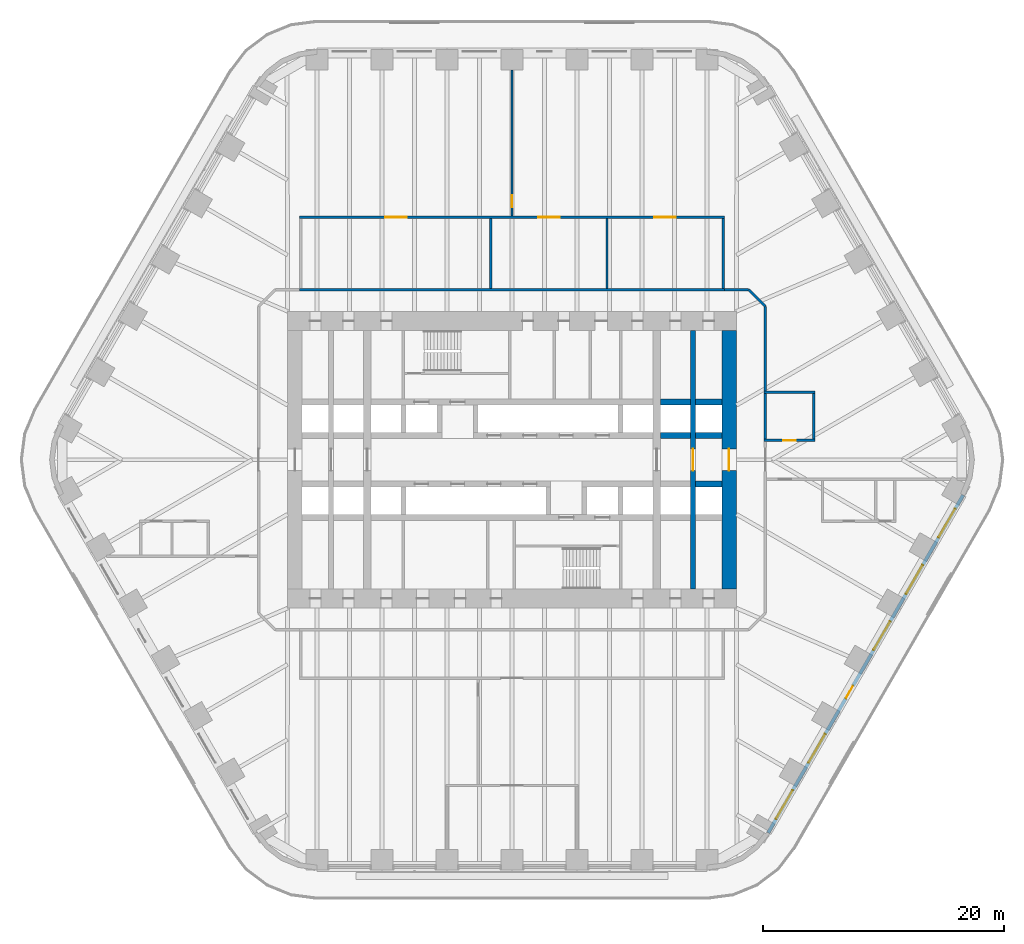
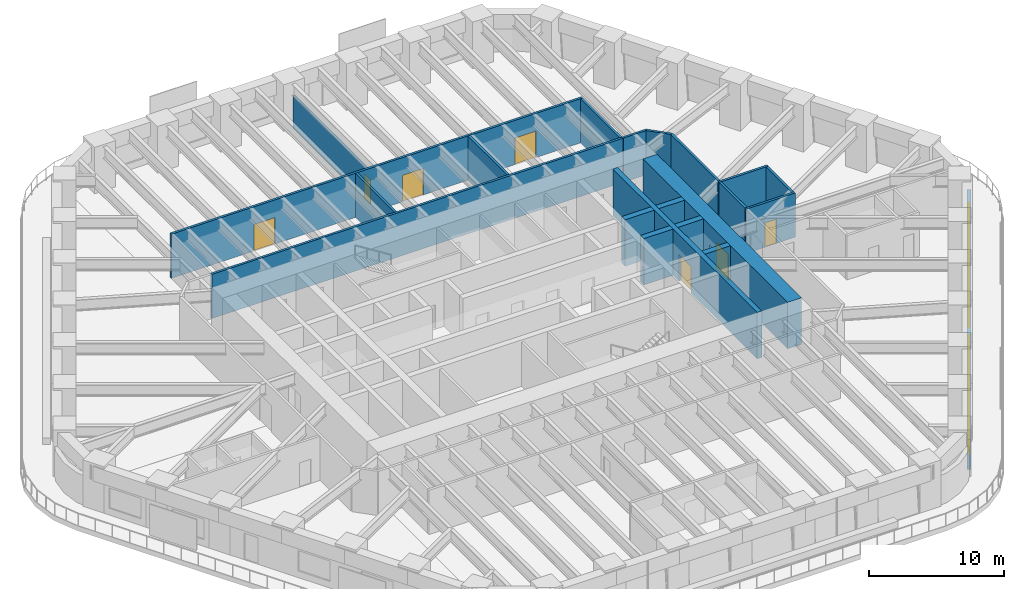
# One storey, part 19 of 23: 21 walls, 8 doors, 5 windows, 13 openings.
"""IFC4 building model written with IfcOpenShell, lengths in metres."""

from ifc_helpers import new_model, si_unit, direction, frame, frame_2d, origin, place, context, subcontext, project, spatial, rectangle, extrude, material, layer, layer_set, type_object, element, fill, save


model = new_model("IFC4")

# Units and contexts
model_context = context("Model", 3, precision=1e-05, world=origin(), true_north=direction((0.0, 1.0)))
body_context = subcontext(model_context, "Body", "Model", "MODEL_VIEW")
ifc_project = project(units=[si_unit("LENGTHUNIT", "METRE"), si_unit("AREAUNIT", "SQUARE_METRE"), si_unit("VOLUMEUNIT", "CUBIC_METRE"), si_unit("PLANEANGLEUNIT", "RADIAN"), si_unit("MASSUNIT", "GRAM", prefix="KILO")], contexts=[model_context])

# Site, building, storey
site_placement = place(None, origin())
site = spatial("IfcSite", under=ifc_project, at=site_placement, CompositionType="ELEMENT")
building_placement = place(site_placement, origin())
building = spatial("IfcBuilding", under=site, at=building_placement, Name="Tarfa Lantern Tower", CompositionType="ELEMENT")
storey_placement = place(building_placement, frame((0.0, 0.0, 99.10009765625)))
storey = spatial("IfcBuildingStorey", under=building, at=storey_placement, Name="L22", CompositionType="ELEMENT", Elevation=99.10009765625)

# Wall, openings, door, windows
ifc_material_1 = material(Name="Limestone cladding on blockwork", Category="masonry")
ifc_layer_1 = layer(ifc_material_1, 0.300048828125)
ifc_layer_set_1 = layer_set([ifc_layer_1], Name="EW1 STONE-CLAD WALL 300")
wall_type_1 = type_object("IfcWallType", Name="EW1 STONE-CLAD WALL 300", PredefinedType="SOLIDWALL", material=ifc_layer_set_1)
wall_1_placement = place(storey_placement, frame((21.232177734375, -30.925048828125, 0.0), z_axis=(0.0, 0.0, 1.0), x_axis=(0.499999163675, 0.866025886636, 0.0)))
wall_1 = element("IfcWall", 1, at=wall_1_placement, inside=storey, type_object=wall_type_1, Name="Stone wall SE", PredefinedType="SOLIDWALL", context=body_context, shape_type="SweptSolid", body=[
    extrude(rectangle(XDim=32.33154296875, YDim=0.300048828125, at=frame_2d((16.165771484375, 0.0))), origin(), (0.0, 0.0, 1.0), 2.699951171875),
])
opening_1_placement = place(wall_1_placement, frame((1.3193359375, 0.0, 0.60009765625)))
opening_1 = element("IfcOpeningElement", 2, at=opening_1_placement, cuts=wall_1, Name="Opening W2", PredefinedType="OPENING", context=body_context, shape_type="SweptSolid", body=[
    extrude(rectangle(XDim=2.75, YDim=1.85009765625, at=frame_2d((1.375, 0.925048828125))), frame((0.0, 0.159912109375, 0.0), z_axis=(0.0, -1.0, 0.0), x_axis=(1.0, 0.0, 0.0)), (0.0, 0.0, 1.0), 0.320068359375),
])
opening_2_placement = place(wall_1_placement, frame((6.7080078125, 0.0, 0.60009765625)))
opening_2 = element("IfcOpeningElement", 3, at=opening_2_placement, cuts=wall_1, Name="Opening W2", PredefinedType="OPENING", context=body_context, shape_type="SweptSolid", body=[
    extrude(rectangle(XDim=2.75, YDim=1.85009765625, at=frame_2d((1.375, 0.925048828125))), frame((0.0, 0.159912109375, 0.0), z_axis=(0.0, -1.0, 0.0), x_axis=(1.0, 0.0, 0.0)), (0.0, 0.0, 1.0), 0.320068359375),
])
opening_3_placement = place(wall_1_placement, frame((12.87158203125, 0.0, 0.0)))
opening_3 = element("IfcOpeningElement", 4, at=opening_3_placement, cuts=wall_1, Name="Opening D46", PredefinedType="OPENING", context=body_context, shape_type="SweptSolid", body=[
    extrude(rectangle(XDim=1.199951171875, YDim=2.39990234375, at=frame_2d((0.60009765625, 1.199951171875))), frame((0.0, 0.159912109375, 0.0), z_axis=(0.0, -1.0, 0.0), x_axis=(1.0, 0.0, 0.0)), (0.0, 0.0, 1.0), 0.320068359375),
])
opening_4_placement = place(wall_1_placement, frame((17.485107421875, 0.0, 0.60009765625)))
opening_4 = element("IfcOpeningElement", 5, at=opening_4_placement, cuts=wall_1, Name="Opening W2", PredefinedType="OPENING", context=body_context, shape_type="SweptSolid", body=[
    extrude(rectangle(XDim=2.75, YDim=1.85009765625, at=frame_2d((1.375, 0.925048828125))), frame((0.0, 0.159912109375, 0.0), z_axis=(0.0, -1.0, 0.0), x_axis=(1.0, 0.0, 0.0)), (0.0, 0.0, 1.0), 0.320068359375),
])
opening_5_placement = place(wall_1_placement, frame((22.873779296875, 0.0, 0.60009765625)))
opening_5 = element("IfcOpeningElement", 6, at=opening_5_placement, cuts=wall_1, Name="Opening W2", PredefinedType="OPENING", context=body_context, shape_type="SweptSolid", body=[
    extrude(rectangle(XDim=2.75, YDim=1.85009765625, at=frame_2d((1.375, 0.925048828125))), frame((0.0, 0.159912109375, 0.0), z_axis=(0.0, -1.0, 0.0), x_axis=(1.0, 0.0, 0.0)), (0.0, 0.0, 1.0), 0.320068359375),
])
opening_6_placement = place(wall_1_placement, frame((28.26220703125, 0.0, 0.60009765625)))
opening_6 = element("IfcOpeningElement", 7, at=opening_6_placement, cuts=wall_1, Name="Opening W2", PredefinedType="OPENING", context=body_context, shape_type="SweptSolid", body=[
    extrude(rectangle(XDim=2.75, YDim=1.85009765625, at=frame_2d((1.375, 0.925048828125))), frame((0.0, 0.159912109375, 0.0), z_axis=(0.0, -1.0, 0.0), x_axis=(1.0, 0.0, 0.0)), (0.0, 0.0, 1.0), 0.320068359375),
])
ifc_material_2 = material(Name="Aluminium framed glazed door", Category="aluminium")
door_type_1 = type_object("IfcDoorType", Name="BE3 BALCONY DOOR 1200x2400", OperationType="SINGLE_SWING_RIGHT", PredefinedType="DOOR", material=ifc_material_2)
door_1_placement = place(opening_3_placement, origin())
door_1 = element("IfcDoor", 8, at=door_1_placement, inside=storey, type_object=door_type_1, Name="Balcony door SE", OperationType="SINGLE_SWING_RIGHT", OverallHeight=2.39990234375, OverallWidth=1.199951171875, PredefinedType="DOOR", context=body_context, shape_type="SweptSolid", body=[
    extrude(rectangle(XDim=1.199951171875, YDim=2.39990234375, at=frame_2d((0.60009765625, 1.199951171875))), frame((0.0, 0.02490234375, 0.0), z_axis=(0.0, -1.0, 0.0), x_axis=(1.0, 0.0, 0.0)), (0.0, 0.0, 1.0), 0.050048828125),
])
fill(opening_3, door_1)
ifc_material_3 = material(Name="Aluminium frame, double glazed", Category="aluminium")
window_type = type_object("IfcWindowType", Name="W2 FULL-HEIGHT GLAZING 2750x1850", PartitioningType="SINGLE_PANEL", PredefinedType="WINDOW", material=ifc_material_3)
window_1_placement = place(opening_1_placement, origin())
window_1 = element("IfcWindow", 9, at=window_1_placement, inside=storey, type_object=window_type, Name="Window SE 1", OverallHeight=1.85009765625, OverallWidth=2.75, PartitioningType="SINGLE_PANEL", PredefinedType="WINDOW", context=body_context, shape_type="SweptSolid", body=[
    extrude(rectangle(XDim=2.75, YDim=1.85009765625, at=frame_2d((1.375, 0.925048828125))), frame((0.0, 0.030029296875, 0.0), z_axis=(0.0, -1.0, 0.0), x_axis=(1.0, 0.0, 0.0)), (0.0, 0.0, 1.0), 0.06005859375),
])
fill(opening_1, window_1)
window_2_placement = place(opening_2_placement, origin())
window_2 = element("IfcWindow", 10, at=window_2_placement, inside=storey, type_object=window_type, Name="Window SE 2", OverallHeight=1.85009765625, OverallWidth=2.75, PartitioningType="SINGLE_PANEL", PredefinedType="WINDOW", context=body_context, shape_type="SweptSolid", body=[
    extrude(rectangle(XDim=2.75, YDim=1.85009765625, at=frame_2d((1.375, 0.925048828125))), frame((0.0, 0.030029296875, 0.0), z_axis=(0.0, -1.0, 0.0), x_axis=(1.0, 0.0, 0.0)), (0.0, 0.0, 1.0), 0.06005859375),
])
fill(opening_2, window_2)
window_3_placement = place(opening_4_placement, origin())
window_3 = element("IfcWindow", 11, at=window_3_placement, inside=storey, type_object=window_type, Name="Window SE 4", OverallHeight=1.85009765625, OverallWidth=2.75, PartitioningType="SINGLE_PANEL", PredefinedType="WINDOW", context=body_context, shape_type="SweptSolid", body=[
    extrude(rectangle(XDim=2.75, YDim=1.85009765625, at=frame_2d((1.375, 0.925048828125))), frame((0.0, 0.030029296875, 0.0), z_axis=(0.0, -1.0, 0.0), x_axis=(1.0, 0.0, 0.0)), (0.0, 0.0, 1.0), 0.06005859375),
])
fill(opening_4, window_3)
window_4_placement = place(opening_5_placement, origin())
window_4 = element("IfcWindow", 12, at=window_4_placement, inside=storey, type_object=window_type, Name="Window SE 5", OverallHeight=1.85009765625, OverallWidth=2.75, PartitioningType="SINGLE_PANEL", PredefinedType="WINDOW", context=body_context, shape_type="SweptSolid", body=[
    extrude(rectangle(XDim=2.75, YDim=1.85009765625, at=frame_2d((1.375, 0.925048828125))), frame((0.0, 0.030029296875, 0.0), z_axis=(0.0, -1.0, 0.0), x_axis=(1.0, 0.0, 0.0)), (0.0, 0.0, 1.0), 0.06005859375),
])
fill(opening_5, window_4)
window_5_placement = place(opening_6_placement, origin())
window_5 = element("IfcWindow", 13, at=window_5_placement, inside=storey, type_object=window_type, Name="Window SE 6", OverallHeight=1.85009765625, OverallWidth=2.75, PartitioningType="SINGLE_PANEL", PredefinedType="WINDOW", context=body_context, shape_type="SweptSolid", body=[
    extrude(rectangle(XDim=2.75, YDim=1.85009765625, at=frame_2d((1.375, 0.925048828125))), frame((0.0, 0.030029296875, 0.0), z_axis=(0.0, -1.0, 0.0), x_axis=(1.0, 0.0, 0.0)), (0.0, 0.0, 1.0), 0.06005859375),
])
fill(opening_6, window_5)

# Wall
ifc_material_4 = material(Name="Gypsum board on steel studs", Category="steel")
ifc_layer_2 = layer(ifc_material_4, 0.2099609375)
ifc_layer_set_2 = layer_set([ifc_layer_2], Name="IW2 ACOUSTIC PARTITION 200")
wall_type_2 = type_object("IfcWallType", Name="IW2 ACOUSTIC PARTITION 200", PredefinedType="PARTITIONING", material=ifc_layer_set_2)
wall_2_placement = place(storey_placement, frame((-17.60009765625, 14.10009765625, 0.0), z_axis=(0.0, 0.0, 1.0), x_axis=(1.0, 0.0, 0.0)))
element("IfcWall", 14, at=wall_2_placement, inside=storey, type_object=wall_type_2, Name="Partition", PredefinedType="PARTITIONING", context=body_context, shape_type="SweptSolid", body=[
    extrude(rectangle(XDim=35.2001953125, YDim=0.199951171875, at=frame_2d((17.60009765625, 0.0))), origin(), (0.0, 0.0, 1.0), 4.0),
])

# Wall, openings, doors
wall_3_placement = place(storey_placement, frame((-17.60009765625, 20.10009765625, 0.0), z_axis=(0.0, 0.0, 1.0), x_axis=(1.0, 0.0, 0.0)))
wall_3 = element("IfcWall", 15, at=wall_3_placement, inside=storey, type_object=wall_type_2, Name="Partition", PredefinedType="PARTITIONING", context=body_context, shape_type="SweptSolid", body=[
    extrude(rectangle(XDim=35.2001953125, YDim=0.199951171875, at=frame_2d((17.60009765625, 0.0))), origin(), (0.0, 0.0, 1.0), 4.0),
])
opening_7_placement = place(wall_3_placement, frame((7.074951171875, 0.0, 0.0)))
opening_7 = element("IfcOpeningElement", 16, at=opening_7_placement, cuts=wall_3, Name="Opening D31", PredefinedType="OPENING", context=body_context, shape_type="SweptSolid", body=[
    extrude(rectangle(XDim=1.800048828125, YDim=2.39990234375, at=frame_2d((0.89990234375, 1.199951171875))), frame((0.0, 0.10986328125, 0.0), z_axis=(0.0, -1.0, 0.0), x_axis=(1.0, 0.0, 0.0)), (0.0, 0.0, 1.0), 0.219970703125),
])
opening_8_placement = place(wall_3_placement, frame((19.762451171875, 0.0, 0.0)))
opening_8 = element("IfcOpeningElement", 17, at=opening_8_placement, cuts=wall_3, Name="Opening D32", PredefinedType="OPENING", context=body_context, shape_type="SweptSolid", body=[
    extrude(rectangle(XDim=1.800048828125, YDim=2.39990234375, at=frame_2d((0.89990234375, 1.199951171875))), frame((0.0, 0.10986328125, 0.0), z_axis=(0.0, -1.0, 0.0), x_axis=(1.0, 0.0, 0.0)), (0.0, 0.0, 1.0), 0.219970703125),
])
opening_9_placement = place(wall_3_placement, frame((29.387451171875, 0.0, 0.0)))
opening_9 = element("IfcOpeningElement", 18, at=opening_9_placement, cuts=wall_3, Name="Opening D33", PredefinedType="OPENING", context=body_context, shape_type="SweptSolid", body=[
    extrude(rectangle(XDim=1.800048828125, YDim=2.39990234375, at=frame_2d((0.89990234375, 1.199951171875))), frame((0.0, 0.10986328125, 0.0), z_axis=(0.0, -1.0, 0.0), x_axis=(1.0, 0.0, 0.0)), (0.0, 0.0, 1.0), 0.219970703125),
])
ifc_material_5 = material(Name="Timber door", Category="wood")
door_type_2 = type_object("IfcDoorType", Name="DR2 ROOM DOOR 1800x2400", OperationType="DOUBLE_DOOR_SINGLE_SWING", PredefinedType="DOOR", material=ifc_material_5)
door_2_placement = place(opening_7_placement, frame((1.800048828125, 0.0, 0.0), z_axis=(0.0, 0.0, 1.0), x_axis=(-1.0, 0.0, 0.0)))
door_2 = element("IfcDoor", 19, at=door_2_placement, inside=storey, type_object=door_type_2, Name="Recording studio door", OperationType="DOUBLE_DOOR_SINGLE_SWING", OverallHeight=2.39990234375, OverallWidth=1.800048828125, PredefinedType="DOOR", context=body_context, shape_type="SweptSolid", body=[
    extrude(rectangle(XDim=1.800048828125, YDim=2.39990234375, at=frame_2d((0.89990234375, 1.199951171875))), frame((0.0, 0.02490234375, 0.0), z_axis=(0.0, -1.0, 0.0), x_axis=(1.0, 0.0, 0.0)), (0.0, 0.0, 1.0), 0.050048828125),
])
fill(opening_7, door_2)
door_3_placement = place(opening_8_placement, frame((1.800048828125, 0.0, 0.0), z_axis=(0.0, 0.0, 1.0), x_axis=(-1.0, 0.0, 0.0)))
door_3 = element("IfcDoor", 20, at=door_3_placement, inside=storey, type_object=door_type_2, Name="Edit suite door", OperationType="DOUBLE_DOOR_SINGLE_SWING", OverallHeight=2.39990234375, OverallWidth=1.800048828125, PredefinedType="DOOR", context=body_context, shape_type="SweptSolid", body=[
    extrude(rectangle(XDim=1.800048828125, YDim=2.39990234375, at=frame_2d((0.89990234375, 1.199951171875))), frame((0.0, 0.02490234375, 0.0), z_axis=(0.0, -1.0, 0.0), x_axis=(1.0, 0.0, 0.0)), (0.0, 0.0, 1.0), 0.050048828125),
])
fill(opening_8, door_3)
door_4_placement = place(opening_9_placement, frame((1.800048828125, 0.0, 0.0), z_axis=(0.0, 0.0, 1.0), x_axis=(-1.0, 0.0, 0.0)))
door_4 = element("IfcDoor", 21, at=door_4_placement, inside=storey, type_object=door_type_2, Name="Edit suite door", OperationType="DOUBLE_DOOR_SINGLE_SWING", OverallHeight=2.39990234375, OverallWidth=1.800048828125, PredefinedType="DOOR", context=body_context, shape_type="SweptSolid", body=[
    extrude(rectangle(XDim=1.800048828125, YDim=2.39990234375, at=frame_2d((0.89990234375, 1.199951171875))), frame((0.0, 0.02490234375, 0.0), z_axis=(0.0, -1.0, 0.0), x_axis=(1.0, 0.0, 0.0)), (0.0, 0.0, 1.0), 0.050048828125),
])
fill(opening_9, door_4)

# Walls
for number, where, z_axis, x_axis, name in (
    (22, (-1.75, 14.199951171875, 0.0), (0.0, 0.0, 1.0), (0.0, 1.0, 0.0), "Partition"),
    (23, (7.875, 14.199951171875, 0.0), (0.0, 0.0, 1.0), (0.0, 1.0, 0.0), "Partition"),
    (24, (17.5, 14.199951171875, 0.0), (0.0, 0.0, 1.0), (0.0, 1.0, 0.0), "Partition"),
):
    element("IfcWall", number, at=place(storey_placement, frame(where, z_axis=z_axis, x_axis=x_axis)), inside=storey, type_object=wall_type_2, Name=name, PredefinedType="PARTITIONING", context=body_context, shape_type="SweptSolid", body=[
        extrude(rectangle(XDim=5.800048828125, YDim=0.199951171875, at=frame_2d((2.89990234375, 0.0))), origin(), (0.0, 0.0, 1.0), 4.0),
    ])

# Wall, opening, door
wall_4_placement = place(storey_placement, frame((20.89990234375, 1.60009765625, 0.0), z_axis=(0.0, 0.0, 1.0), x_axis=(1.0, 0.0, 0.0)))
wall_4 = element("IfcWall", 25, at=wall_4_placement, inside=storey, type_object=wall_type_2, Name="Partition", PredefinedType="PARTITIONING", context=body_context, shape_type="SweptSolid", body=[
    extrude(rectangle(XDim=4.2001953125, YDim=0.199951171875, at=frame_2d((2.10009765625, 0.0))), origin(), (0.0, 0.0, 1.0), 4.0),
])
opening_10_placement = place(wall_4_placement, frame((1.60009765625, 0.0, 0.0)))
opening_10 = element("IfcOpeningElement", 26, at=opening_10_placement, cuts=wall_4, Name="Opening D29", PredefinedType="OPENING", context=body_context, shape_type="SweptSolid", body=[
    extrude(rectangle(XDim=1.0, YDim=2.199951171875, at=frame_2d((0.5, 1.10009765625))), frame((0.0, 0.10986328125, 0.0), z_axis=(0.0, -1.0, 0.0), x_axis=(1.0, 0.0, 0.0)), (0.0, 0.0, 1.0), 0.219970703125),
])
door_type_3 = type_object("IfcDoorType", Name="DR1 ROOM DOOR 1000x2200", OperationType="SINGLE_SWING_LEFT", PredefinedType="DOOR", material=ifc_material_5)
door_5_placement = place(opening_10_placement, origin())
door_5 = element("IfcDoor", 27, at=door_5_placement, inside=storey, type_object=door_type_3, Name="Photo store door", OperationType="SINGLE_SWING_RIGHT", OverallHeight=2.199951171875, OverallWidth=1.0, PredefinedType="DOOR", context=body_context, shape_type="SweptSolid", body=[
    extrude(rectangle(XDim=1.0, YDim=2.199951171875, at=frame_2d((0.5, 1.10009765625))), frame((0.0, 0.02490234375, 0.0), z_axis=(0.0, -1.0, 0.0), x_axis=(1.0, 0.0, 0.0)), (0.0, 0.0, 1.0), 0.050048828125),
])
fill(opening_10, door_5)

# Walls
wall_5_placement = place(storey_placement, frame((20.89990234375, 5.60009765625, 0.0), z_axis=(0.0, 0.0, 1.0), x_axis=(1.0, 0.0, 0.0)))
element("IfcWall", 28, at=wall_5_placement, inside=storey, type_object=wall_type_2, Name="Partition", PredefinedType="PARTITIONING", context=body_context, shape_type="SweptSolid", body=[
    extrude(rectangle(XDim=4.2001953125, YDim=0.199951171875, at=frame_2d((2.10009765625, 0.0))), origin(), (0.0, 0.0, 1.0), 4.0),
])
for number, where, z_axis, x_axis, name in (
    (29, (21.0, 1.699951171875, 0.0), (0.0, 0.0, 1.0), (0.0, 1.0, 0.0), "Partition"),
    (30, (25.0, 1.699951171875, 0.0), (0.0, 0.0, 1.0), (0.0, 1.0, 0.0), "Partition"),
):
    element("IfcWall", number, at=place(storey_placement, frame(where, z_axis=z_axis, x_axis=x_axis)), inside=storey, type_object=wall_type_2, Name=name, PredefinedType="PARTITIONING", context=body_context, shape_type="SweptSolid", body=[
        extrude(rectangle(XDim=3.800048828125, YDim=0.199951171875, at=frame_2d((1.89990234375, 0.0))), origin(), (0.0, 0.0, 1.0), 4.0),
    ])
wall_6_placement = place(storey_placement, frame((17.60009765625, 14.10009765625, 0.0), z_axis=(0.0, 0.0, 1.0), x_axis=(1.0, 0.0, 0.0)))
element("IfcWall", 31, at=wall_6_placement, inside=storey, type_object=wall_type_2, Name="Partition", PredefinedType="PARTITIONING", context=body_context, shape_type="SweptSolid", body=[
    extrude(rectangle(XDim=2.0, YDim=0.199951171875, at=frame_2d((1.0, 0.0))), origin(), (0.0, 0.0, 1.0), 4.0),
])
wall_7_placement = place(storey_placement, frame((19.60009765625, 14.10009765625, 0.0), z_axis=(0.0, 0.0, 1.0), x_axis=(0.707045124756, -0.707168432242, 0.0)))
element("IfcWall", 32, at=wall_7_placement, inside=storey, type_object=wall_type_2, Name="Partition", PredefinedType="PARTITIONING", context=body_context, shape_type="SweptSolid", body=[
    extrude(rectangle(XDim=1.97998046875, YDim=0.199951171875, at=frame_2d((0.989990234375, 0.0))), origin(), (0.0, 0.0, 1.0), 4.0),
])
wall_8_placement = place(storey_placement, frame((21.0, 12.699951171875, 0.0), z_axis=(0.0, 0.0, 1.0), x_axis=(0.0, -1.0, 0.0)))
element("IfcWall", 33, at=wall_8_placement, inside=storey, type_object=wall_type_2, Name="Partition", PredefinedType="PARTITIONING", context=body_context, shape_type="SweptSolid", body=[
    extrude(rectangle(XDim=6.9990234375, YDim=0.199951171875, at=frame_2d((3.49951171875, 0.0))), origin(), (0.0, 0.0, 1.0), 4.0),
])

# Wall, opening, door
wall_9_placement = place(storey_placement, frame((0.0, 20.199951171875, 0.0), z_axis=(0.0, 0.0, 1.0), x_axis=(0.0, 1.0, 0.0)))
wall_9 = element("IfcWall", 34, at=wall_9_placement, inside=storey, type_object=wall_type_2, Name="Partition", PredefinedType="PARTITIONING", context=body_context, shape_type="SweptSolid", body=[
    extrude(rectangle(XDim=12.10009765625, YDim=0.199951171875, at=frame_2d((6.050048828125, 0.0))), origin(), (0.0, 0.0, 1.0), 2.94384765625),
])
opening_11_placement = place(wall_9_placement, frame((0.7099609375, 0.0, 0.0)))
opening_11 = element("IfcOpeningElement", 35, at=opening_11_placement, cuts=wall_9, Name="Opening D42", PredefinedType="OPENING", context=body_context, shape_type="SweptSolid", body=[
    extrude(rectangle(XDim=1.0, YDim=2.199951171875, at=frame_2d((0.5, 1.10009765625))), frame((0.0, 0.10986328125, 0.0), z_axis=(0.0, -1.0, 0.0), x_axis=(1.0, 0.0, 0.0)), (0.0, 0.0, 1.0), 0.219970703125),
])
door_6_placement = place(opening_11_placement, frame((1.0, 0.0, 0.0), z_axis=(0.0, 0.0, 1.0), x_axis=(-1.0, 0.0, 0.0)))
door_6 = element("IfcDoor", 36, at=door_6_placement, inside=storey, type_object=door_type_3, Name="Zone door", OperationType="SINGLE_SWING_LEFT", OverallHeight=2.199951171875, OverallWidth=1.0, PredefinedType="DOOR", context=body_context, shape_type="SweptSolid", body=[
    extrude(rectangle(XDim=1.0, YDim=2.199951171875, at=frame_2d((0.5, 1.10009765625))), frame((0.0, 0.02490234375, 0.0), z_axis=(0.0, -1.0, 0.0), x_axis=(1.0, 0.0, 0.0)), (0.0, 0.0, 1.0), 0.050048828125),
])
fill(opening_11, door_6)

ifc_material_6 = material(Name="Concrete C80/95", Category="concrete")
ifc_layer_3 = layer(ifc_material_6, 1.199951171875)
ifc_layer_set_3 = layer_set([ifc_layer_3], Name="SW1 CORE WALL 1200")
wall_type_3 = type_object("IfcWallType", Name="SW1 CORE WALL 1200", PredefinedType="SHEAR", material=ifc_layer_set_3)
wall_10_placement = place(storey_placement, frame((18.0, -10.699951171875, 0.0), z_axis=(0.0, 0.0, 1.0), x_axis=(0.0, 1.0, 0.0)))
wall_10 = element("IfcWall", 37, at=wall_10_placement, inside=storey, type_object=wall_type_3, Name="Core wall E", PredefinedType="SHEAR", context=body_context, shape_type="SweptSolid", body=[
    extrude(rectangle(XDim=21.39990234375, YDim=1.199951171875, at=frame_2d((10.699951171875, 0.0))), origin(), (0.0, 0.0, 1.0), 4.199951171875),
])
opening_12_placement = place(wall_10_placement, frame((9.800048828125, 0.0, 0.0)))
opening_12 = element("IfcOpeningElement", 38, at=opening_12_placement, cuts=wall_10, Name="Opening D15", PredefinedType="OPENING", context=body_context, shape_type="SweptSolid", body=[
    extrude(rectangle(XDim=1.800048828125, YDim=2.39990234375, at=frame_2d((0.89990234375, 1.199951171875))), frame((0.0, 0.60986328125, 0.0), z_axis=(0.0, -1.0, 0.0), x_axis=(1.0, 0.0, 0.0)), (0.0, 0.0, 1.0), 1.219970703125),
])
ifc_material_7 = material(Name="Steel fire door", Category="steel")
door_type_4 = type_object("IfcDoorType", Name="DL1 LOBBY DOOR 1800x2400", OperationType="DOUBLE_DOOR_SINGLE_SWING", PredefinedType="DOOR", material=ifc_material_7)
door_7_placement = place(opening_12_placement, frame((1.800048828125, 0.0, 0.0), z_axis=(0.0, 0.0, 1.0), x_axis=(-1.0, 0.0, 0.0)))
door_7 = element("IfcDoor", 39, at=door_7_placement, inside=storey, type_object=door_type_4, Name="Lift lobby door", OperationType="DOUBLE_DOOR_SINGLE_SWING", OverallHeight=2.39990234375, OverallWidth=1.800048828125, PredefinedType="DOOR", context=body_context, shape_type="SweptSolid", body=[
    extrude(rectangle(XDim=1.800048828125, YDim=2.39990234375, at=frame_2d((0.89990234375, 1.199951171875))), frame((0.0, 0.02490234375, 0.0), z_axis=(0.0, -1.0, 0.0), x_axis=(1.0, 0.0, 0.0)), (0.0, 0.0, 1.0), 0.050048828125),
])
fill(opening_12, door_7)

# Walls
ifc_layer_4 = layer(ifc_material_6, 0.5)
ifc_layer_set_4 = layer_set([ifc_layer_4], Name="SW5 CORE WALL 500")
wall_type_4 = type_object("IfcWallType", Name="SW5 CORE WALL 500", PredefinedType="SHEAR", material=ifc_layer_set_4)
wall_11_placement = place(storey_placement, frame((12.300048828125, 2.0, 0.0), z_axis=(0.0, 0.0, 1.0), x_axis=(1.0, 0.0, 0.0)))
element("IfcWall", 40, at=wall_11_placement, inside=storey, type_object=wall_type_4, Name="Core wall lobby east N", PredefinedType="SHEAR", context=body_context, shape_type="SweptSolid", body=[
    extrude(rectangle(XDim=2.5, YDim=0.5, at=frame_2d((1.25, 0.0))), origin(), (0.0, 0.0, 1.0), 4.199951171875),
])
wall_12_placement = place(storey_placement, frame((15.199951171875, 2.0, 0.0), z_axis=(0.0, 0.0, 1.0), x_axis=(1.0, 0.0, 0.0)))
element("IfcWall", 41, at=wall_12_placement, inside=storey, type_object=wall_type_4, Name="Core wall lobby east N", PredefinedType="SHEAR", context=body_context, shape_type="SweptSolid", body=[
    extrude(rectangle(XDim=2.199951171875, YDim=0.5, at=frame_2d((1.10009765625, 0.0))), origin(), (0.0, 0.0, 1.0), 4.199951171875),
])
wall_13_placement = place(storey_placement, frame((12.300048828125, 4.800048828125, 0.0), z_axis=(0.0, 0.0, 1.0), x_axis=(1.0, 0.0, 0.0)))
element("IfcWall", 42, at=wall_13_placement, inside=storey, type_object=wall_type_4, Name="Core wall rear N", PredefinedType="SHEAR", context=body_context, shape_type="SweptSolid", body=[
    extrude(rectangle(XDim=2.5, YDim=0.5, at=frame_2d((1.25, 0.0))), origin(), (0.0, 0.0, 1.0), 4.199951171875),
])
for number, where, z_axis, x_axis, name in (
    (43, (15.199951171875, 4.800048828125, 0.0), (0.0, 0.0, 1.0), (1.0, 0.0, 0.0), "Core wall rear N"),
    (44, (17.39990234375, -2.0, 0.0), (0.0, 0.0, 1.0), (-1.0, 0.0, 0.0), "Core wall lobby west S"),
):
    element("IfcWall", number, at=place(storey_placement, frame(where, z_axis=z_axis, x_axis=x_axis)), inside=storey, type_object=wall_type_4, Name=name, PredefinedType="SHEAR", context=body_context, shape_type="SweptSolid", body=[
        extrude(rectangle(XDim=2.199951171875, YDim=0.5, at=frame_2d((1.10009765625, 0.0))), origin(), (0.0, 0.0, 1.0), 4.199951171875),
    ])

# Wall, opening, door
ifc_layer_5 = layer(ifc_material_6, 0.39990234375)
ifc_layer_set_5 = layer_set([ifc_layer_5], Name="SW6 CORE WALL 400")
wall_type_5 = type_object("IfcWallType", Name="SW6 CORE WALL 400", PredefinedType="SHEAR", material=ifc_layer_set_5)
wall_14_placement = place(storey_placement, frame((15.0, -10.699951171875, 0.0), z_axis=(0.0, 0.0, 1.0), x_axis=(0.0, 1.0, 0.0)))
wall_14 = element("IfcWall", 45, at=wall_14_placement, inside=storey, type_object=wall_type_5, Name="Core wall cross 15 m east", PredefinedType="SHEAR", context=body_context, shape_type="SweptSolid", body=[
    extrude(rectangle(XDim=21.39990234375, YDim=0.39990234375, at=frame_2d((10.699951171875, 0.0))), origin(), (0.0, 0.0, 1.0), 4.199951171875),
])
opening_13_placement = place(wall_14_placement, frame((9.800048828125, 0.0, 0.0)))
opening_13 = element("IfcOpeningElement", 46, at=opening_13_placement, cuts=wall_14, Name="Opening D26", PredefinedType="OPENING", context=body_context, shape_type="SweptSolid", body=[
    extrude(rectangle(XDim=1.800048828125, YDim=2.39990234375, at=frame_2d((0.89990234375, 1.199951171875))), frame((0.0, 0.2099609375, 0.0), z_axis=(0.0, -1.0, 0.0), x_axis=(1.0, 0.0, 0.0)), (0.0, 0.0, 1.0), 0.419921875),
])
door_8_placement = place(opening_13_placement, origin())
door_8 = element("IfcDoor", 47, at=door_8_placement, inside=storey, type_object=door_type_4, Name="Lift lobby door", OperationType="DOUBLE_DOOR_SINGLE_SWING", OverallHeight=2.39990234375, OverallWidth=1.800048828125, PredefinedType="DOOR", context=body_context, shape_type="SweptSolid", body=[
    extrude(rectangle(XDim=1.800048828125, YDim=2.39990234375, at=frame_2d((0.89990234375, 1.199951171875))), frame((0.0, 0.02490234375, 0.0), z_axis=(0.0, -1.0, 0.0), x_axis=(1.0, 0.0, 0.0)), (0.0, 0.0, 1.0), 0.050048828125),
])
fill(opening_13, door_8)

save(model, "model.ifc")
